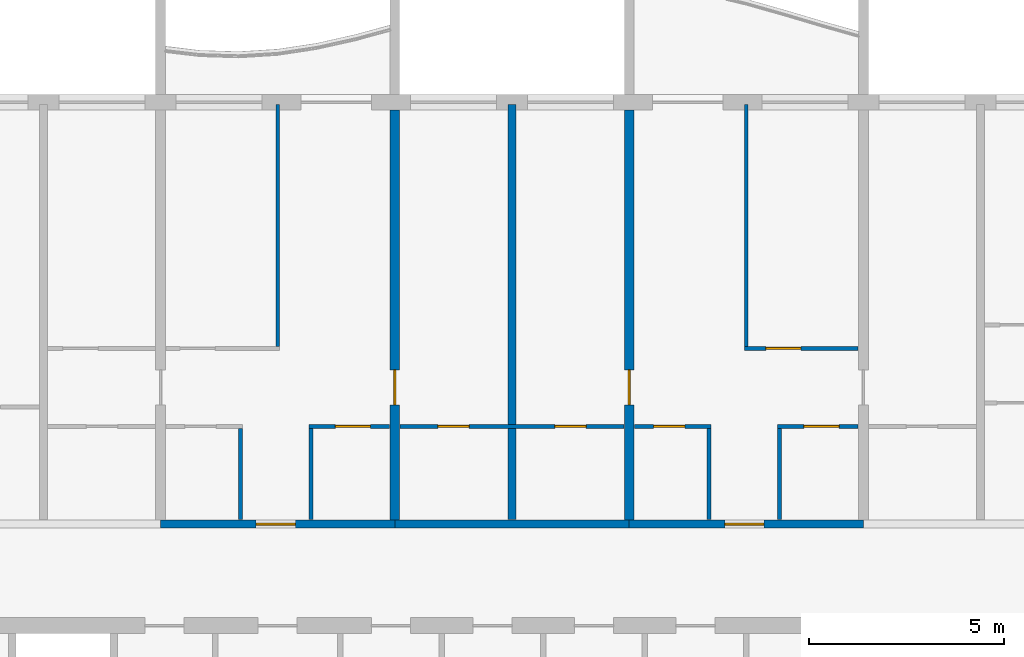
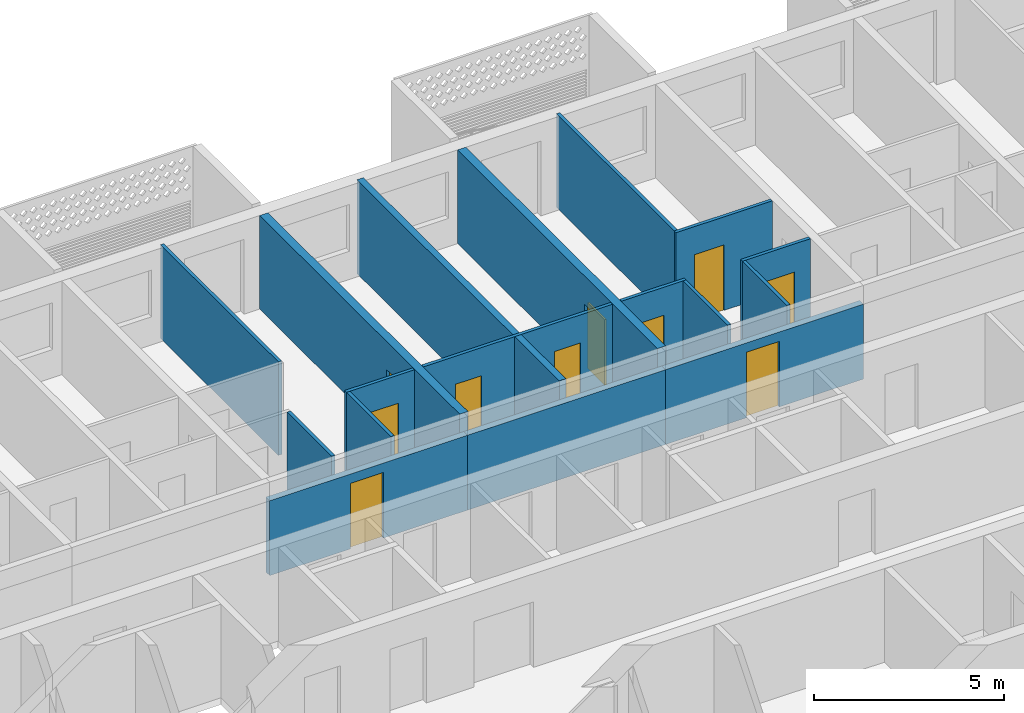
# One storey, part 9 of 27: 17 walls, 10 doors, 10 openings.
"""IFC4 building model written with IfcOpenShell, lengths in metres."""

from ifc_helpers import new_model, si_unit, direction, frame, frame_2d, origin, place, context, subcontext, project, spatial, rectangle, extrude, material, layer, layer_set, type_object, element, fill, save


model = new_model("IFC4")

# Units and contexts
model_context = context("Model", 3, precision=1e-05, world=origin(), true_north=direction((0.0, 1.0)))
body_context = subcontext(model_context, "Body", "Model", "MODEL_VIEW")
ifc_project = project(units=[si_unit("LENGTHUNIT", "METRE"), si_unit("AREAUNIT", "SQUARE_METRE"), si_unit("VOLUMEUNIT", "CUBIC_METRE"), si_unit("PLANEANGLEUNIT", "RADIAN"), si_unit("MASSUNIT", "GRAM", prefix="KILO")], contexts=[model_context])

# Site, building, storey
site_placement = place(None, origin())
site = spatial("IfcSite", under=ifc_project, at=site_placement, CompositionType="ELEMENT")
building_placement = place(site_placement, origin())
building = spatial("IfcBuilding", under=site, at=building_placement, Name="Poui Terraces", CompositionType="ELEMENT")
storey_placement = place(building_placement, frame((0.0, 0.0, 208.199951171875)))
storey = spatial("IfcBuildingStorey", under=building, at=storey_placement, Name="L58", CompositionType="ELEMENT", Elevation=208.199951171875)

# Wall, opening, door
ifc_material_1 = material(Name="Concrete 50 MPa", Category="concrete")
ifc_layer_1 = layer(ifc_material_1, 0.199951171875)
ifc_layer_set_1 = layer_set([ifc_layer_1], Name="Concrete 50 MPa")
wall_type_1 = type_object("IfcWallType", Name="CORRIDOR WALL 200 50MPa", PredefinedType="SHEAR", material=ifc_layer_set_1)
wall_1_placement = place(storey_placement, frame((48.0, 30.39990234375, 0.0), z_axis=(0.0, 0.0, 1.0), x_axis=(1.0, 0.0, 0.0)))
wall_1 = element("IfcWall", 1, at=wall_1_placement, inside=storey, type_object=wall_type_1, Name="CORRIDOR WALL LINE E BAY 6", PredefinedType="SHEAR", context=body_context, shape_type="SweptSolid", body=[
    extrude(rectangle(XDim=6.0, YDim=0.199951171875, at=frame_2d((3.0, 0.0))), origin(), (0.0, 0.0, 1.0), 2.400146484375),
])
opening_1_placement = place(wall_1_placement, frame((2.449951171875, 0.0, 0.0)))
opening_1 = element("IfcOpeningElement", 2, at=opening_1_placement, cuts=wall_1, Name="Opening FD30S", PredefinedType="OPENING", context=body_context, shape_type="SweptSolid", body=[
    extrude(rectangle(XDim=1.0, YDim=2.10009765625, at=frame_2d((0.5, 1.050048828125))), frame((0.0, 0.10986328125, 0.0), z_axis=(0.0, -1.0, 0.0), x_axis=(1.0, 0.0, 0.0)), (0.0, 0.0, 1.0), 0.219970703125),
])
ifc_material_2 = material(Name="Steel fire door", Category="steel")
door_type_1 = type_object("IfcDoorType", Name="FLAT ENTRANCE DOOR 1000 X 2100", OperationType="NOTDEFINED", PredefinedType="DOOR", material=ifc_material_2)
door_1_placement = place(opening_1_placement, origin())
door_1 = element("IfcDoor", 3, at=door_1_placement, inside=storey, type_object=door_type_1, Name="FLAT ENTRANCE DOOR 046", OperationType="SINGLE_SWING_LEFT", OverallHeight=2.10009765625, OverallWidth=1.0, PredefinedType="DOOR", context=body_context, shape_type="SweptSolid", body=[
    extrude(rectangle(XDim=1.0, YDim=2.10009765625, at=frame_2d((0.5, 1.050048828125))), frame((0.0, 0.02490234375, 0.0), z_axis=(0.0, -1.0, 0.0), x_axis=(1.0, 0.0, 0.0)), (0.0, 0.0, 1.0), 0.050048828125),
])
fill(opening_1, door_1)

# Wall
wall_2_placement = place(storey_placement, frame((54.0, 30.39990234375, 0.0), z_axis=(0.0, 0.0, 1.0), x_axis=(1.0, 0.0, 0.0)))
element("IfcWall", 4, at=wall_2_placement, inside=storey, type_object=wall_type_1, Name="CORRIDOR WALL LINE E BAY 7", PredefinedType="SHEAR", context=body_context, shape_type="SweptSolid", body=[
    extrude(rectangle(XDim=6.0, YDim=0.199951171875, at=frame_2d((3.0, 0.0))), origin(), (0.0, 0.0, 1.0), 2.400146484375),
])

# Wall, opening, door
wall_3_placement = place(storey_placement, frame((60.0, 30.39990234375, 0.0), z_axis=(0.0, 0.0, 1.0), x_axis=(1.0, 0.0, 0.0)))
wall_3 = element("IfcWall", 5, at=wall_3_placement, inside=storey, type_object=wall_type_1, Name="CORRIDOR WALL LINE E BAY 8", PredefinedType="SHEAR", context=body_context, shape_type="SweptSolid", body=[
    extrude(rectangle(XDim=6.0, YDim=0.199951171875, at=frame_2d((3.0, 0.0))), origin(), (0.0, 0.0, 1.0), 2.400146484375),
])
opening_2_placement = place(wall_3_placement, frame((2.449951171875, 0.0, 0.0)))
opening_2 = element("IfcOpeningElement", 6, at=opening_2_placement, cuts=wall_3, Name="Opening FD30S", PredefinedType="OPENING", context=body_context, shape_type="SweptSolid", body=[
    extrude(rectangle(XDim=1.0, YDim=2.10009765625, at=frame_2d((0.5, 1.050048828125))), frame((0.0, 0.10986328125, 0.0), z_axis=(0.0, -1.0, 0.0), x_axis=(1.0, 0.0, 0.0)), (0.0, 0.0, 1.0), 0.219970703125),
])
door_2_placement = place(opening_2_placement, origin())
door_2 = element("IfcDoor", 7, at=door_2_placement, inside=storey, type_object=door_type_1, Name="FLAT ENTRANCE DOOR 053", OperationType="SINGLE_SWING_LEFT", OverallHeight=2.10009765625, OverallWidth=1.0, PredefinedType="DOOR", context=body_context, shape_type="SweptSolid", body=[
    extrude(rectangle(XDim=1.0, YDim=2.10009765625, at=frame_2d((0.5, 1.050048828125))), frame((0.0, 0.02490234375, 0.0), z_axis=(0.0, -1.0, 0.0), x_axis=(1.0, 0.0, 0.0)), (0.0, 0.0, 1.0), 0.050048828125),
])
fill(opening_2, door_2)

ifc_layer_2 = layer(ifc_material_1, 0.25)
ifc_layer_set_2 = layer_set([ifc_layer_2], Name="Concrete 50 MPa")
wall_type_2 = type_object("IfcWallType", Name="CROSS WALL 250 50MPa", PredefinedType="SHEAR", material=ifc_layer_set_2)
wall_4_placement = place(storey_placement, frame((54.0, 30.5, 0.0), z_axis=(0.0, 0.0, 1.0), x_axis=(0.0, 1.0, 0.0)))
wall_4 = element("IfcWall", 8, at=wall_4_placement, inside=storey, type_object=wall_type_2, Name="CROSS WALL LINE 10 NORTH", PredefinedType="SHEAR", context=body_context, shape_type="SweptSolid", body=[
    extrude(rectangle(XDim=10.5, YDim=0.25, at=frame_2d((5.25, 0.0))), origin(), (0.0, 0.0, 1.0), 3.0),
])
opening_3_placement = place(wall_4_placement, frame((2.949951171875, 0.0, 0.0)))
opening_3 = element("IfcOpeningElement", 9, at=opening_3_placement, cuts=wall_4, Name="Opening D90", PredefinedType="OPENING", context=body_context, shape_type="SweptSolid", body=[
    extrude(rectangle(XDim=0.89990234375, YDim=2.10009765625, at=frame_2d((0.449951171875, 1.050048828125))), frame((0.0, 0.135009765625, 0.0), z_axis=(0.0, -1.0, 0.0), x_axis=(1.0, 0.0, 0.0)), (0.0, 0.0, 1.0), 0.27001953125),
])
ifc_material_3 = material(Name="Solid core timber door", Category="wood")
door_type_2 = type_object("IfcDoorType", Name="INTERNAL DOOR 900 X 2100", OperationType="NOTDEFINED", PredefinedType="DOOR", material=ifc_material_3)
door_3_placement = place(opening_3_placement, frame((0.89990234375, 0.0, 0.0), z_axis=(0.0, 0.0, 1.0), x_axis=(-1.0, 0.0, 0.0)))
door_3 = element("IfcDoor", 10, at=door_3_placement, inside=storey, type_object=door_type_2, Name="INTERNAL DOOR 048", OperationType="SINGLE_SWING_RIGHT", OverallHeight=2.10009765625, OverallWidth=0.89990234375, PredefinedType="DOOR", context=body_context, shape_type="SweptSolid", body=[
    extrude(rectangle(XDim=0.89990234375, YDim=2.10009765625, at=frame_2d((0.449951171875, 1.050048828125))), frame((0.0, 0.02490234375, 0.0), z_axis=(0.0, -1.0, 0.0), x_axis=(1.0, 0.0, 0.0)), (0.0, 0.0, 1.0), 0.050048828125),
])
fill(opening_3, door_3)

wall_5_placement = place(storey_placement, frame((60.0, 30.5, 0.0), z_axis=(0.0, 0.0, 1.0), x_axis=(0.0, 1.0, 0.0)))
wall_5 = element("IfcWall", 11, at=wall_5_placement, inside=storey, type_object=wall_type_2, Name="CROSS WALL LINE 11 NORTH", PredefinedType="SHEAR", context=body_context, shape_type="SweptSolid", body=[
    extrude(rectangle(XDim=10.5, YDim=0.25, at=frame_2d((5.25, 0.0))), origin(), (0.0, 0.0, 1.0), 3.0),
])
opening_4_placement = place(wall_5_placement, frame((2.949951171875, 0.0, 0.0)))
opening_4 = element("IfcOpeningElement", 12, at=opening_4_placement, cuts=wall_5, Name="Opening D90", PredefinedType="OPENING", context=body_context, shape_type="SweptSolid", body=[
    extrude(rectangle(XDim=0.89990234375, YDim=2.10009765625, at=frame_2d((0.449951171875, 1.050048828125))), frame((0.0, 0.135009765625, 0.0), z_axis=(0.0, -1.0, 0.0), x_axis=(1.0, 0.0, 0.0)), (0.0, 0.0, 1.0), 0.27001953125),
])
door_4_placement = place(opening_4_placement, origin())
door_4 = element("IfcDoor", 13, at=door_4_placement, inside=storey, type_object=door_type_2, Name="INTERNAL DOOR 051", OperationType="SINGLE_SWING_LEFT", OverallHeight=2.10009765625, OverallWidth=0.89990234375, PredefinedType="DOOR", context=body_context, shape_type="SweptSolid", body=[
    extrude(rectangle(XDim=0.89990234375, YDim=2.10009765625, at=frame_2d((0.449951171875, 1.050048828125))), frame((0.0, 0.02490234375, 0.0), z_axis=(0.0, -1.0, 0.0), x_axis=(1.0, 0.0, 0.0)), (0.0, 0.0, 1.0), 0.050048828125),
])
fill(opening_4, door_4)

ifc_material_4 = material(Name="Plasterboard partition")
ifc_layer_3 = layer(ifc_material_4, 0.10009765625)
ifc_layer_set_3 = layer_set([ifc_layer_3], Name="Plasterboard partition")
wall_type_3 = type_object("IfcWallType", Name="FLAT PARTITION 100", PredefinedType="PARTITIONING", material=ifc_layer_set_3)
wall_6_placement = place(storey_placement, frame((51.800048828125, 32.89990234375, 0.0), z_axis=(0.0, 0.0, 1.0), x_axis=(1.0, 0.0, 0.0)))
wall_6 = element("IfcWall", 14, at=wall_6_placement, inside=storey, type_object=wall_type_3, Name="FLAT PARTITION 100", PredefinedType="PARTITIONING", context=body_context, shape_type="SweptSolid", body=[
    extrude(rectangle(XDim=2.06494140625, YDim=0.10009765625, at=frame_2d((1.032470703125, 0.0))), origin(), (0.0, 0.0, 1.0), 3.0),
])
opening_5_placement = place(wall_6_placement, frame((0.675048828125, 0.0, 0.0)))
opening_5 = element("IfcOpeningElement", 15, at=opening_5_placement, cuts=wall_6, Name="Opening D90", PredefinedType="OPENING", context=body_context, shape_type="SweptSolid", body=[
    extrude(rectangle(XDim=0.89990234375, YDim=2.10009765625, at=frame_2d((0.449951171875, 1.050048828125))), frame((0.0, 0.06005859375, 0.0), z_axis=(0.0, -1.0, 0.0), x_axis=(1.0, 0.0, 0.0)), (0.0, 0.0, 1.0), 0.1201171875),
])
door_5_placement = place(opening_5_placement, frame((0.89990234375, 0.0, 0.0), z_axis=(0.0, 0.0, 1.0), x_axis=(-1.0, 0.0, 0.0)))
door_5 = element("IfcDoor", 16, at=door_5_placement, inside=storey, type_object=door_type_2, Name="INTERNAL DOOR 047", OperationType="SINGLE_SWING_LEFT", OverallHeight=2.10009765625, OverallWidth=0.89990234375, PredefinedType="DOOR", context=body_context, shape_type="SweptSolid", body=[
    extrude(rectangle(XDim=0.89990234375, YDim=2.10009765625, at=frame_2d((0.449951171875, 1.050048828125))), frame((0.0, 0.02490234375, 0.0), z_axis=(0.0, -1.0, 0.0), x_axis=(1.0, 0.0, 0.0)), (0.0, 0.0, 1.0), 0.050048828125),
])
fill(opening_5, door_5)

# Wall, openings, doors
wall_7_placement = place(storey_placement, frame((54.135009765625, 32.89990234375, 0.0), z_axis=(0.0, 0.0, 1.0), x_axis=(1.0, 0.0, 0.0)))
wall_7 = element("IfcWall", 17, at=wall_7_placement, inside=storey, type_object=wall_type_3, Name="FLAT PARTITION 100", PredefinedType="PARTITIONING", context=body_context, shape_type="SweptSolid", body=[
    extrude(rectangle(XDim=5.72998046875, YDim=0.10009765625, at=frame_2d((2.864990234375, 0.0))), origin(), (0.0, 0.0, 1.0), 3.0),
])
opening_6_placement = place(wall_7_placement, frame((0.965087890625, 0.0, 0.0)))
opening_6 = element("IfcOpeningElement", 18, at=opening_6_placement, cuts=wall_7, Name="Opening D80", PredefinedType="OPENING", context=body_context, shape_type="SweptSolid", body=[
    extrude(rectangle(XDim=0.800048828125, YDim=2.10009765625, at=frame_2d((0.39990234375, 1.050048828125))), frame((0.0, 0.06005859375, 0.0), z_axis=(0.0, -1.0, 0.0), x_axis=(1.0, 0.0, 0.0)), (0.0, 0.0, 1.0), 0.1201171875),
])
opening_7_placement = place(wall_7_placement, frame((3.965087890625, 0.0, 0.0)))
opening_7 = element("IfcOpeningElement", 19, at=opening_7_placement, cuts=wall_7, Name="Opening D80", PredefinedType="OPENING", context=body_context, shape_type="SweptSolid", body=[
    extrude(rectangle(XDim=0.800048828125, YDim=2.10009765625, at=frame_2d((0.39990234375, 1.050048828125))), frame((0.0, 0.06005859375, 0.0), z_axis=(0.0, -1.0, 0.0), x_axis=(1.0, 0.0, 0.0)), (0.0, 0.0, 1.0), 0.1201171875),
])
door_type_3 = type_object("IfcDoorType", Name="BATHROOM, LAUNDRY AND STORE DOOR 800 X 2100", OperationType="NOTDEFINED", PredefinedType="DOOR", material=ifc_material_3)
door_6_placement = place(opening_6_placement, frame((0.800048828125, 0.0, 0.0), z_axis=(0.0, 0.0, 1.0), x_axis=(-1.0, 0.0, 0.0)))
door_6 = element("IfcDoor", 20, at=door_6_placement, inside=storey, type_object=door_type_3, Name="BATHROOM, LAUNDRY AND STORE DOOR 040", OperationType="SINGLE_SWING_RIGHT", OverallHeight=2.10009765625, OverallWidth=0.800048828125, PredefinedType="DOOR", context=body_context, shape_type="SweptSolid", body=[
    extrude(rectangle(XDim=0.800048828125, YDim=2.10009765625, at=frame_2d((0.39990234375, 1.050048828125))), frame((0.0, 0.02490234375, 0.0), z_axis=(0.0, -1.0, 0.0), x_axis=(1.0, 0.0, 0.0)), (0.0, 0.0, 1.0), 0.050048828125),
])
fill(opening_6, door_6)
door_7_placement = place(opening_7_placement, frame((0.800048828125, 0.0, 0.0), z_axis=(0.0, 0.0, 1.0), x_axis=(-1.0, 0.0, 0.0)))
door_7 = element("IfcDoor", 21, at=door_7_placement, inside=storey, type_object=door_type_3, Name="BATHROOM, LAUNDRY AND STORE DOOR 049", OperationType="SINGLE_SWING_LEFT", OverallHeight=2.10009765625, OverallWidth=0.800048828125, PredefinedType="DOOR", context=body_context, shape_type="SweptSolid", body=[
    extrude(rectangle(XDim=0.800048828125, YDim=2.10009765625, at=frame_2d((0.39990234375, 1.050048828125))), frame((0.0, 0.02490234375, 0.0), z_axis=(0.0, -1.0, 0.0), x_axis=(1.0, 0.0, 0.0)), (0.0, 0.0, 1.0), 0.050048828125),
])
fill(opening_7, door_7)

# Wall, opening, door
wall_8_placement = place(storey_placement, frame((60.135009765625, 32.89990234375, 0.0), z_axis=(0.0, 0.0, 1.0), x_axis=(1.0, 0.0, 0.0)))
wall_8 = element("IfcWall", 22, at=wall_8_placement, inside=storey, type_object=wall_type_3, Name="FLAT PARTITION 100", PredefinedType="PARTITIONING", context=body_context, shape_type="SweptSolid", body=[
    extrude(rectangle(XDim=1.965087890625, YDim=0.10009765625, at=frame_2d((0.982421875, 0.0))), origin(), (0.0, 0.0, 1.0), 3.0),
])
opening_8_placement = place(wall_8_placement, frame((0.489990234375, 0.0, 0.0)))
opening_8 = element("IfcOpeningElement", 23, at=opening_8_placement, cuts=wall_8, Name="Opening D80", PredefinedType="OPENING", context=body_context, shape_type="SweptSolid", body=[
    extrude(rectangle(XDim=0.800048828125, YDim=2.10009765625, at=frame_2d((0.39990234375, 1.050048828125))), frame((0.0, 0.06005859375, 0.0), z_axis=(0.0, -1.0, 0.0), x_axis=(1.0, 0.0, 0.0)), (0.0, 0.0, 1.0), 0.1201171875),
])
door_8_placement = place(opening_8_placement, frame((0.800048828125, 0.0, 0.0), z_axis=(0.0, 0.0, 1.0), x_axis=(-1.0, 0.0, 0.0)))
door_8 = element("IfcDoor", 24, at=door_8_placement, inside=storey, type_object=door_type_3, Name="BATHROOM, LAUNDRY AND STORE DOOR 052", OperationType="SINGLE_SWING_LEFT", OverallHeight=2.10009765625, OverallWidth=0.800048828125, PredefinedType="DOOR", context=body_context, shape_type="SweptSolid", body=[
    extrude(rectangle(XDim=0.800048828125, YDim=2.10009765625, at=frame_2d((0.39990234375, 1.050048828125))), frame((0.0, 0.02490234375, 0.0), z_axis=(0.0, -1.0, 0.0), x_axis=(1.0, 0.0, 0.0)), (0.0, 0.0, 1.0), 0.050048828125),
])
fill(opening_8, door_8)

wall_9_placement = place(storey_placement, frame((63.800048828125, 32.89990234375, 0.0), z_axis=(0.0, 0.0, 1.0), x_axis=(1.0, 0.0, 0.0)))
wall_9 = element("IfcWall", 25, at=wall_9_placement, inside=storey, type_object=wall_type_3, Name="FLAT PARTITION 100", PredefinedType="PARTITIONING", context=body_context, shape_type="SweptSolid", body=[
    extrude(rectangle(XDim=2.06494140625, YDim=0.10009765625, at=frame_2d((1.032470703125, 0.0))), origin(), (0.0, 0.0, 1.0), 3.0),
])
opening_9_placement = place(wall_9_placement, frame((0.675048828125, 0.0, 0.0)))
opening_9 = element("IfcOpeningElement", 26, at=opening_9_placement, cuts=wall_9, Name="Opening D90", PredefinedType="OPENING", context=body_context, shape_type="SweptSolid", body=[
    extrude(rectangle(XDim=0.89990234375, YDim=2.10009765625, at=frame_2d((0.449951171875, 1.050048828125))), frame((0.0, 0.06005859375, 0.0), z_axis=(0.0, -1.0, 0.0), x_axis=(1.0, 0.0, 0.0)), (0.0, 0.0, 1.0), 0.1201171875),
])
door_9_placement = place(opening_9_placement, frame((0.89990234375, 0.0, 0.0), z_axis=(0.0, 0.0, 1.0), x_axis=(-1.0, 0.0, 0.0)))
door_9 = element("IfcDoor", 27, at=door_9_placement, inside=storey, type_object=door_type_2, Name="INTERNAL DOOR 055", OperationType="SINGLE_SWING_RIGHT", OverallHeight=2.10009765625, OverallWidth=0.89990234375, PredefinedType="DOOR", context=body_context, shape_type="SweptSolid", body=[
    extrude(rectangle(XDim=0.89990234375, YDim=2.10009765625, at=frame_2d((0.449951171875, 1.050048828125))), frame((0.0, 0.02490234375, 0.0), z_axis=(0.0, -1.0, 0.0), x_axis=(1.0, 0.0, 0.0)), (0.0, 0.0, 1.0), 0.050048828125),
])
fill(opening_9, door_9)

wall_10_placement = place(storey_placement, frame((62.949951171875, 34.89990234375, 0.0), z_axis=(0.0, 0.0, 1.0), x_axis=(1.0, 0.0, 0.0)))
wall_10 = element("IfcWall", 28, at=wall_10_placement, inside=storey, type_object=wall_type_3, Name="FLAT PARTITION 100", PredefinedType="PARTITIONING", context=body_context, shape_type="SweptSolid", body=[
    extrude(rectangle(XDim=2.9150390625, YDim=0.10009765625, at=frame_2d((1.45751953125, 0.0))), origin(), (0.0, 0.0, 1.0), 3.0),
])
opening_10_placement = place(wall_10_placement, frame((0.550048828125, 0.0, 0.0)))
opening_10 = element("IfcOpeningElement", 29, at=opening_10_placement, cuts=wall_10, Name="Opening D90", PredefinedType="OPENING", context=body_context, shape_type="SweptSolid", body=[
    extrude(rectangle(XDim=0.89990234375, YDim=2.10009765625, at=frame_2d((0.449951171875, 1.050048828125))), frame((0.0, 0.06005859375, 0.0), z_axis=(0.0, -1.0, 0.0), x_axis=(1.0, 0.0, 0.0)), (0.0, 0.0, 1.0), 0.1201171875),
])
door_10_placement = place(opening_10_placement, frame((0.89990234375, 0.0, 0.0), z_axis=(0.0, 0.0, 1.0), x_axis=(-1.0, 0.0, 0.0)))
door_10 = element("IfcDoor", 30, at=door_10_placement, inside=storey, type_object=door_type_2, Name="INTERNAL DOOR 054", OperationType="SINGLE_SWING_LEFT", OverallHeight=2.10009765625, OverallWidth=0.89990234375, PredefinedType="DOOR", context=body_context, shape_type="SweptSolid", body=[
    extrude(rectangle(XDim=0.89990234375, YDim=2.10009765625, at=frame_2d((0.449951171875, 1.050048828125))), frame((0.0, 0.02490234375, 0.0), z_axis=(0.0, -1.0, 0.0), x_axis=(1.0, 0.0, 0.0)), (0.0, 0.0, 1.0), 0.050048828125),
])
fill(opening_10, door_10)

# Walls
wall_11_placement = place(storey_placement, frame((50.050048828125, 30.510009765625, 0.0), z_axis=(0.0, 0.0, 1.0), x_axis=(0.0, 1.0, 0.0)))
element("IfcWall", 31, at=wall_11_placement, inside=storey, type_object=wall_type_3, Name="FLAT PARTITION 100", PredefinedType="PARTITIONING", context=body_context, shape_type="SweptSolid", body=[
    extrude(rectangle(XDim=2.340087890625, YDim=0.10009765625, at=frame_2d((1.169921875, 0.0))), origin(), (0.0, 0.0, 1.0), 3.0),
])
wall_12_placement = place(storey_placement, frame((51.0, 34.949951171875, 0.0), z_axis=(0.0, 0.0, 1.0), x_axis=(0.0, 1.0, 0.0)))
element("IfcWall", 32, at=wall_12_placement, inside=storey, type_object=wall_type_3, Name="FLAT PARTITION 100", PredefinedType="PARTITIONING", context=body_context, shape_type="SweptSolid", body=[
    extrude(rectangle(XDim=6.18994140625, YDim=0.10009765625, at=frame_2d((3.094970703125, 0.0))), origin(), (0.0, 0.0, 1.0), 3.0),
])
for number, where, z_axis, x_axis, name in (
    (33, (51.85009765625, 30.510009765625, 0.0), (0.0, 0.0, 1.0), (0.0, 1.0, 0.0), "FLAT PARTITION 100"),
    (34, (62.050048828125, 30.510009765625, 0.0), (0.0, 0.0, 1.0), (0.0, 1.0, 0.0), "FLAT PARTITION 100"),
):
    element("IfcWall", number, at=place(storey_placement, frame(where, z_axis=z_axis, x_axis=x_axis)), inside=storey, type_object=wall_type_3, Name=name, PredefinedType="PARTITIONING", context=body_context, shape_type="SweptSolid", body=[
        extrude(rectangle(XDim=2.340087890625, YDim=0.10009765625, at=frame_2d((1.169921875, 0.0))), origin(), (0.0, 0.0, 1.0), 3.0),
    ])
wall_13_placement = place(storey_placement, frame((63.0, 34.949951171875, 0.0), z_axis=(0.0, 0.0, 1.0), x_axis=(0.0, 1.0, 0.0)))
element("IfcWall", 35, at=wall_13_placement, inside=storey, type_object=wall_type_3, Name="FLAT PARTITION 100", PredefinedType="PARTITIONING", context=body_context, shape_type="SweptSolid", body=[
    extrude(rectangle(XDim=6.18994140625, YDim=0.10009765625, at=frame_2d((3.094970703125, 0.0))), origin(), (0.0, 0.0, 1.0), 3.0),
])
wall_14_placement = place(storey_placement, frame((63.85009765625, 30.510009765625, 0.0), z_axis=(0.0, 0.0, 1.0), x_axis=(0.0, 1.0, 0.0)))
element("IfcWall", 36, at=wall_14_placement, inside=storey, type_object=wall_type_3, Name="FLAT PARTITION 100", PredefinedType="PARTITIONING", context=body_context, shape_type="SweptSolid", body=[
    extrude(rectangle(XDim=2.340087890625, YDim=0.10009765625, at=frame_2d((1.169921875, 0.0))), origin(), (0.0, 0.0, 1.0), 3.0),
])
ifc_material_5 = material(Name="Fire-rated masonry wall", Category="masonry")
ifc_layer_4 = layer(ifc_material_5, 0.199951171875)
ifc_layer_set_4 = layer_set([ifc_layer_4], Name="Fire-rated masonry wall")
wall_type_4 = type_object("IfcWallType", Name="FLAT PARTY WALL 200", PredefinedType="PARTITIONING", material=ifc_layer_set_4)
wall_15_placement = place(storey_placement, frame((57.0, 30.510009765625, 0.0), z_axis=(0.0, 0.0, 1.0), x_axis=(0.0, 1.0, 0.0)))
element("IfcWall", 37, at=wall_15_placement, inside=storey, type_object=wall_type_4, Name="FLAT PARTY WALL 200", PredefinedType="PARTITIONING", context=body_context, shape_type="SweptSolid", body=[
    extrude(rectangle(XDim=10.6298828125, YDim=0.199951171875, at=frame_2d((5.31494140625, 0.0))), origin(), (0.0, 0.0, 1.0), 3.0),
])

save(model, "model.ifc")
